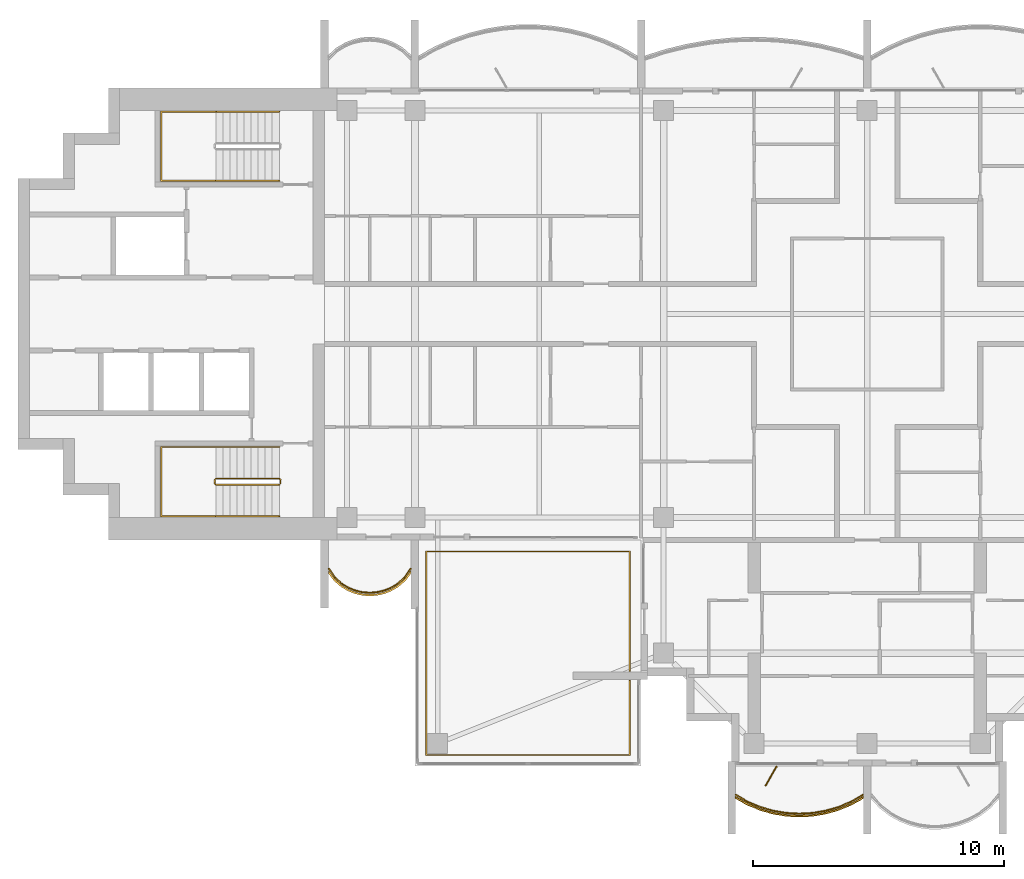
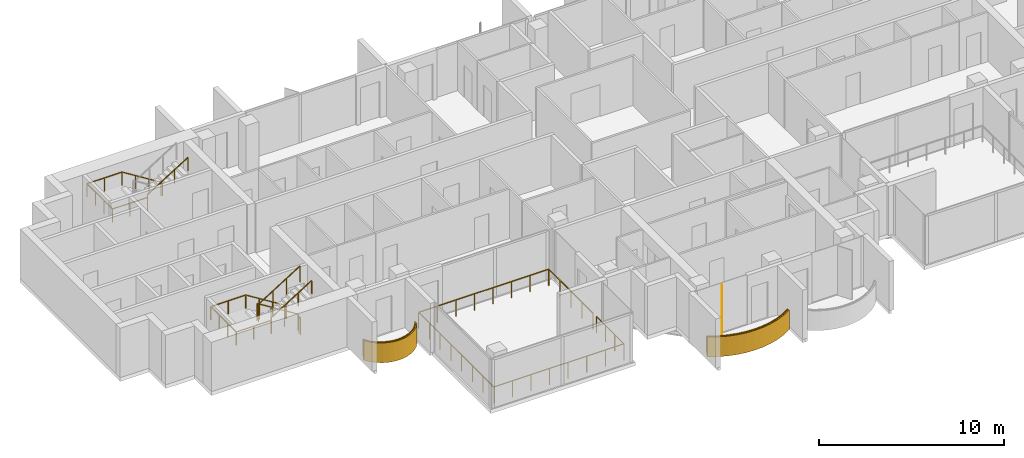
# One storey, part 13 of 16: 6 railings, 2 coverings, 1 shading device.
"""IFC4 building model written with IfcOpenShell, lengths in metres."""

from ifc_helpers import new_model, si_unit, direction, frame, origin, origin_2d, place, context, subcontext, project, spatial, polyline, rectangle, outline, extrude, material, layer, layer_set, type_object, element, save


model = new_model("IFC4")

# Units and contexts
model_context = context("Model", 3, precision=1e-05, world=origin(), true_north=direction((0.0, 1.0)))
body_context = subcontext(model_context, "Body", "Model", "MODEL_VIEW")
ifc_project = project(units=[si_unit("LENGTHUNIT", "METRE"), si_unit("AREAUNIT", "SQUARE_METRE"), si_unit("VOLUMEUNIT", "CUBIC_METRE"), si_unit("PLANEANGLEUNIT", "RADIAN"), si_unit("MASSUNIT", "GRAM", prefix="KILO")], contexts=[model_context])

# Site, building, storey
site_placement = place(None, origin())
site = spatial("IfcSite", under=ifc_project, at=site_placement, CompositionType="ELEMENT")
building_placement = place(site_placement, origin())
building = spatial("IfcBuilding", under=site, at=building_placement, Name="Perihelion Cross Residences", CompositionType="ELEMENT")
storey_placement = place(building_placement, frame((0.0, 0.0, 274.5)))
storey = spatial("IfcBuildingStorey", under=building, at=storey_placement, Name="L70", CompositionType="ELEMENT", Elevation=274.5)

# Coverings
ifc_material_1 = material(Name="Bronze anodised aluminium", Category="aluminium")
ifc_layer_1 = layer(ifc_material_1, 0.070068359375)
ifc_layer_set_1 = layer_set([ifc_layer_1], Name="Balcony fascia 1300")
covering_type = type_object("IfcCoveringType", Name="Balcony fascia 1300", PredefinedType="CLADDING", material=ifc_layer_set_1)
covering_1_placement = place(storey_placement, frame((0.0, 0.0, -0.199951171875)))
element("IfcCovering", 1, at=covering_1_placement, inside=storey, type_object=covering_type, Name="Fascia BF1 L70 west side south bay 1", PredefinedType="CLADDING", context=body_context, shape_type="SweptSolid", body=[
    extrude(outline(polyline([(-21.226318359375, -10.616455078125), (-20.94091796875, -10.86328125), (-20.655517578125, -11.031494140625), (-20.370361328125, -11.142578125), (-20.085205078125, -11.206298828125), (-19.800048828125, -11.22705078125), (-19.514892578125, -11.206298828125), (-19.229736328125, -11.142578125), (-18.9443359375, -11.031494140625), (-18.6591796875, -10.86328125), (-18.373779296875, -10.616455078125), (-18.14990234375, -10.31689453125), (-18.14990234375, -10.199951171875), (-18.425048828125, -10.568603515625), (-18.699951171875, -10.806396484375), (-18.97509765625, -10.96875), (-19.25, -11.07568359375), (-19.52490234375, -11.136962890625), (-19.800048828125, -11.156982421875), (-20.074951171875, -11.136962890625), (-20.35009765625, -11.07568359375), (-20.625, -10.96875), (-20.89990234375, -10.806396484375), (-21.175048828125, -10.568603515625), (-21.449951171875, -10.199951171875), (-21.449951171875, -10.31689453125), (-21.226318359375, -10.616455078125)])), origin(), (0.0, 0.0, 1.0), 1.300048828125),
])
covering_2_placement = place(storey_placement, frame((0.0, 0.0, -0.199951171875)))
element("IfcCovering", 2, at=covering_2_placement, inside=storey, type_object=covering_type, Name="Fascia BF1 L70 south tip south bay 1", PredefinedType="CLADDING", context=body_context, shape_type="SweptSolid", body=[
    extrude(outline(polyline([(-4.7705078125, -19.54833984375), (-4.2529296875, -19.7607421875), (-3.735107421875, -19.906494140625), (-3.217529296875, -19.991943359375), (-2.699951171875, -20.02001953125), (-2.182373046875, -19.991943359375), (-1.664794921875, -19.906494140625), (-1.147216796875, -19.7607421875), (-0.629638671875, -19.54833984375), (-0.14990234375, -19.2802734375), (-0.14990234375, -19.199951171875), (-0.659912109375, -19.4853515625), (-1.169921875, -19.694580078125), (-1.679931640625, -19.838134765625), (-2.18994140625, -19.92236328125), (-2.699951171875, -19.949951171875), (-3.2099609375, -19.92236328125), (-3.719970703125, -19.838134765625), (-4.22998046875, -19.694580078125), (-4.739990234375, -19.4853515625), (-5.25, -19.199951171875), (-5.25, -19.2802734375), (-4.7705078125, -19.54833984375)])), origin(), (0.0, 0.0, 1.0), 1.300048828125),
])

# Railings
ifc_material_2 = material(Name="Bronze anodised aluminium", Category="aluminium")
railing_type_1 = type_object("IfcRailingType", Name="Balcony guard 1100", PredefinedType="GUARDRAIL", material=ifc_material_2)
railing_1_placement = place(storey_placement, frame((-21.425048828125, -10.139892578125, 0.0)))
element("IfcRailing", 3, at=railing_1_placement, inside=storey, type_object=railing_type_1, Name="Guard GU1 L70 west side south bay 1 balcony", PredefinedType="GUARDRAIL", context=body_context, shape_type="SweptSolid", body=[
    extrude(rectangle(XDim=0.048095703125, YDim=0.048095703125, at=origin_2d()), frame((0.0, 0.0, 1.076171875), z_axis=(0.561260132269, -0.827639452857, 0.0), x_axis=(0.827639452857, 0.561260132269, 0.0)), (0.0, 0.0, 1.0), 0.4453125),
    extrude(rectangle(XDim=0.048095703125, YDim=0.048095703125, at=origin_2d()), frame((0.25, -0.36865234375, 1.076171875), z_axis=(0.756596535164, -0.653882009982, 0.0), x_axis=(0.653882009982, 0.756596535164, 0.0)), (0.0, 0.0, 1.0), 0.36376953125),
    extrude(rectangle(XDim=0.048095703125, YDim=0.048095703125, at=origin_2d()), frame((0.525146484375, -0.6064453125, 1.076171875), z_axis=(0.861048292884, -0.508523192511, 0.0), x_axis=(0.508523192511, 0.861048292884, 0.0)), (0.0, 0.0, 1.0), 0.3193359375),
    extrude(rectangle(XDim=0.048095703125, YDim=0.048095703125, at=origin_2d()), frame((0.800048828125, -0.768798828125, 1.076171875), z_axis=(0.931973602183, -0.362526143656, 0.0), x_axis=(0.362526143656, 0.931973602183, 0.0)), (0.0, 0.0, 1.0), 0.294921875),
    extrude(rectangle(XDim=0.048095703125, YDim=0.048095703125, at=origin_2d()), frame((1.074951171875, -0.875732421875, 1.076171875), z_axis=(0.976085059389, -0.21738895289, 0.0), x_axis=(0.21738895289, 0.976085059389, 0.0)), (0.0, 0.0, 1.0), 0.281982421875),
    extrude(rectangle(XDim=0.048095703125, YDim=0.048095703125, at=origin_2d()), frame((1.35009765625, -0.93701171875, 1.076171875), z_axis=(0.997358821833, -0.072631814734, 0.0), x_axis=(0.072631814734, 0.997358821833, 0.0)), (0.0, 0.0, 1.0), 0.275634765625),
    extrude(rectangle(XDim=0.048095703125, YDim=0.048095703125, at=origin_2d()), frame((1.625, -0.95703125, 1.076171875), z_axis=(0.997363488337, 0.072567707226, 0.0), x_axis=(-0.072567707226, 0.997363488337, 0.0)), (0.0, 0.0, 1.0), 0.27587890625),
    extrude(rectangle(XDim=0.048095703125, YDim=0.048095703125, at=origin_2d()), frame((1.900146484375, -0.93701171875, 1.076171875), z_axis=(0.976044077717, 0.217572880557, 0.0), x_axis=(-0.217572880557, 0.976044077717, 0.0)), (0.0, 0.0, 1.0), 0.28173828125),
    extrude(rectangle(XDim=0.048095703125, YDim=0.048095703125, at=origin_2d()), frame((2.175048828125, -0.875732421875, 1.076171875), z_axis=(0.931973602183, 0.362526143656, 0.0), x_axis=(-0.362526143656, 0.931973602183, 0.0)), (0.0, 0.0, 1.0), 0.294921875),
    extrude(rectangle(XDim=0.048095703125, YDim=0.048095703125, at=origin_2d()), frame((2.449951171875, -0.768798828125, 1.076171875), z_axis=(0.861245845072, 0.508188542123, 0.0), x_axis=(-0.508188542123, 0.861245845072, 0.0)), (0.0, 0.0, 1.0), 0.319580078125),
    extrude(rectangle(XDim=0.048095703125, YDim=0.048095703125, at=origin_2d()), frame((2.72509765625, -0.6064453125, 1.076171875), z_axis=(0.756309278473, 0.654214242658, 0.0), x_axis=(-0.654214242658, 0.756309278473, 0.0)), (0.0, 0.0, 1.0), 0.363525390625),
    extrude(rectangle(XDim=0.048095703125, YDim=0.048095703125, at=origin_2d()), frame((3.0, -0.36865234375, 1.076171875), z_axis=(0.561260132269, 0.827639452857, 0.0), x_axis=(-0.827639452857, 0.561260132269, 0.0)), (0.0, 0.0, 1.0), 0.4453125),
    extrude(rectangle(XDim=0.0419921875, YDim=0.0419921875, at=origin_2d()), origin(), (0.0, 0.0, 1.0), 1.052001953125),
    extrude(rectangle(XDim=0.0419921875, YDim=0.0419921875, at=origin_2d()), frame((0.25, -0.36865234375, 0.0)), (0.0, 0.0, 1.0), 1.052001953125),
    extrude(rectangle(XDim=0.0419921875, YDim=0.0419921875, at=origin_2d()), frame((0.525146484375, -0.6064453125, 0.0)), (0.0, 0.0, 1.0), 1.052001953125),
    extrude(rectangle(XDim=0.0419921875, YDim=0.0419921875, at=origin_2d()), frame((0.800048828125, -0.768798828125, 0.0)), (0.0, 0.0, 1.0), 1.052001953125),
    extrude(rectangle(XDim=0.0419921875, YDim=0.0419921875, at=origin_2d()), frame((1.074951171875, -0.875732421875, 0.0)), (0.0, 0.0, 1.0), 1.052001953125),
    extrude(rectangle(XDim=0.0419921875, YDim=0.0419921875, at=origin_2d()), frame((1.35009765625, -0.93701171875, 0.0)), (0.0, 0.0, 1.0), 1.052001953125),
    extrude(rectangle(XDim=0.0419921875, YDim=0.0419921875, at=origin_2d()), frame((1.625, -0.95703125, 0.0)), (0.0, 0.0, 1.0), 1.052001953125),
    extrude(rectangle(XDim=0.0419921875, YDim=0.0419921875, at=origin_2d()), frame((1.900146484375, -0.93701171875, 0.0)), (0.0, 0.0, 1.0), 1.052001953125),
    extrude(rectangle(XDim=0.0419921875, YDim=0.0419921875, at=origin_2d()), frame((2.175048828125, -0.875732421875, 0.0)), (0.0, 0.0, 1.0), 1.052001953125),
    extrude(rectangle(XDim=0.0419921875, YDim=0.0419921875, at=origin_2d()), frame((2.449951171875, -0.768798828125, 0.0)), (0.0, 0.0, 1.0), 1.052001953125),
    extrude(rectangle(XDim=0.0419921875, YDim=0.0419921875, at=origin_2d()), frame((2.72509765625, -0.6064453125, 0.0)), (0.0, 0.0, 1.0), 1.052001953125),
    extrude(rectangle(XDim=0.0419921875, YDim=0.0419921875, at=origin_2d()), frame((3.0, -0.36865234375, 0.0)), (0.0, 0.0, 1.0), 1.052001953125),
    extrude(rectangle(XDim=0.0419921875, YDim=0.0419921875, at=origin_2d()), frame((3.25, 0.0, 0.0)), (0.0, 0.0, 1.0), 1.052001953125),
])
railing_2_placement = place(storey_placement, frame((-5.22509765625, -19.139892578125, 0.0)))
element("IfcRailing", 4, at=railing_2_placement, inside=storey, type_object=railing_type_1, Name="Guard GU1 L70 south tip south bay 1 balcony", PredefinedType="GUARDRAIL", context=body_context, shape_type="SweptSolid", body=[
    extrude(rectangle(XDim=0.048095703125, YDim=0.048095703125, at=origin_2d()), frame((0.0, 0.0, 1.076171875), z_axis=(0.861900760591, -0.507076995033, 0.0), x_axis=(0.507076995033, 0.861900760591, 0.0)), (0.0, 0.0, 1.0), 0.562744140625),
    extrude(rectangle(XDim=0.048095703125, YDim=0.048095703125, at=origin_2d()), frame((0.485107421875, -0.285400390625, 1.076171875), z_axis=(0.925172605972, -0.379546636342, 0.0), x_axis=(0.379546636342, 0.925172605972, 0.0)), (0.0, 0.0, 1.0), 0.55126953125),
    extrude(rectangle(XDim=0.048095703125, YDim=0.048095703125, at=origin_2d()), frame((0.9951171875, -0.49462890625, 1.076171875), z_axis=(0.962474364231, -0.271372618732, 0.0), x_axis=(0.271372618732, 0.962474364231, 0.0)), (0.0, 0.0, 1.0), 0.52978515625),
    extrude(rectangle(XDim=0.048095703125, YDim=0.048095703125, at=origin_2d()), frame((1.505126953125, -0.638427734375, 1.076171875), z_axis=(0.986711211531, -0.162483799314, 0.0), x_axis=(0.162483799314, 0.986711211531, 0.0)), (0.0, 0.0, 1.0), 0.516845703125),
    extrude(rectangle(XDim=0.048095703125, YDim=0.048095703125, at=origin_2d()), frame((2.01513671875, -0.722412109375, 1.076171875), z_axis=(0.998540183677, -0.05401390175, 0.0), x_axis=(0.05401390175, 0.998540183677, 0.0)), (0.0, 0.0, 1.0), 0.5107421875),
    extrude(rectangle(XDim=0.048095703125, YDim=0.048095703125, at=origin_2d()), frame((2.525146484375, -0.75, 1.076171875), z_axis=(0.998540183677, 0.05401390175, 0.0), x_axis=(-0.05401390175, 0.998540183677, 0.0)), (0.0, 0.0, 1.0), 0.5107421875),
    extrude(rectangle(XDim=0.048095703125, YDim=0.048095703125, at=origin_2d()), frame((3.03515625, -0.722412109375, 1.076171875), z_axis=(0.986711211531, 0.162483799314, 0.0), x_axis=(-0.162483799314, 0.986711211531, 0.0)), (0.0, 0.0, 1.0), 0.516845703125),
    extrude(rectangle(XDim=0.048095703125, YDim=0.048095703125, at=origin_2d()), frame((3.545166015625, -0.638427734375, 1.076171875), z_axis=(0.962474364231, 0.271372618732, 0.0), x_axis=(-0.271372618732, 0.962474364231, 0.0)), (0.0, 0.0, 1.0), 0.52978515625),
    extrude(rectangle(XDim=0.048095703125, YDim=0.048095703125, at=origin_2d()), frame((4.05517578125, -0.49462890625, 1.076171875), z_axis=(0.925172605972, 0.379546636342, 0.0), x_axis=(-0.379546636342, 0.925172605972, 0.0)), (0.0, 0.0, 1.0), 0.55126953125),
    extrude(rectangle(XDim=0.048095703125, YDim=0.048095703125, at=origin_2d()), frame((4.565185546875, -0.285400390625, 1.076171875), z_axis=(0.861789164031, 0.507266632806, 0.0), x_axis=(-0.507266632806, 0.861789164031, 0.0)), (0.0, 0.0, 1.0), 0.562744140625),
    extrude(rectangle(XDim=0.0419921875, YDim=0.0419921875, at=origin_2d()), origin(), (0.0, 0.0, 1.0), 1.052001953125),
    extrude(rectangle(XDim=0.0419921875, YDim=0.0419921875, at=origin_2d()), frame((0.485107421875, -0.285400390625, 0.0)), (0.0, 0.0, 1.0), 1.052001953125),
    extrude(rectangle(XDim=0.0419921875, YDim=0.0419921875, at=origin_2d()), frame((0.9951171875, -0.49462890625, 0.0)), (0.0, 0.0, 1.0), 1.052001953125),
    extrude(rectangle(XDim=0.0419921875, YDim=0.0419921875, at=origin_2d()), frame((1.505126953125, -0.638427734375, 0.0)), (0.0, 0.0, 1.0), 1.052001953125),
    extrude(rectangle(XDim=0.0419921875, YDim=0.0419921875, at=origin_2d()), frame((2.01513671875, -0.722412109375, 0.0)), (0.0, 0.0, 1.0), 1.052001953125),
    extrude(rectangle(XDim=0.0419921875, YDim=0.0419921875, at=origin_2d()), frame((2.525146484375, -0.75, 0.0)), (0.0, 0.0, 1.0), 1.052001953125),
    extrude(rectangle(XDim=0.0419921875, YDim=0.0419921875, at=origin_2d()), frame((3.03515625, -0.722412109375, 0.0)), (0.0, 0.0, 1.0), 1.052001953125),
    extrude(rectangle(XDim=0.0419921875, YDim=0.0419921875, at=origin_2d()), frame((3.545166015625, -0.638427734375, 0.0)), (0.0, 0.0, 1.0), 1.052001953125),
    extrude(rectangle(XDim=0.0419921875, YDim=0.0419921875, at=origin_2d()), frame((4.05517578125, -0.49462890625, 0.0)), (0.0, 0.0, 1.0), 1.052001953125),
    extrude(rectangle(XDim=0.0419921875, YDim=0.0419921875, at=origin_2d()), frame((4.565185546875, -0.285400390625, 0.0)), (0.0, 0.0, 1.0), 1.052001953125),
    extrude(rectangle(XDim=0.0419921875, YDim=0.0419921875, at=origin_2d()), frame((5.050048828125, 0.0, 0.0)), (0.0, 0.0, 1.0), 1.052001953125),
])
railing_3_placement = place(storey_placement, frame((-9.449951171875, -14.590087890625, 0.0)))
element("IfcRailing", 5, at=railing_3_placement, inside=storey, type_object=railing_type_1, Name="Guard GU1 L70 pocket south-west 1", PredefinedType="GUARDRAIL", context=body_context, shape_type="SweptSolid", body=[
    extrude(rectangle(XDim=0.048095703125, YDim=0.048095703125, at=origin_2d()), frame((0.0, 0.0, 1.076171875), z_axis=(0.0, -1.0, 0.0), x_axis=(1.0, 0.0, 0.0)), (0.0, 0.0, 1.0), 2.9599609375),
    extrude(rectangle(XDim=0.048095703125, YDim=0.048095703125, at=origin_2d()), frame((0.0, -2.9599609375, 1.076171875), z_axis=(-1.0, 0.0, 0.0), x_axis=(0.0, -1.0, 0.0)), (0.0, 0.0, 1.0), 8.10009765625),
    extrude(rectangle(XDim=0.048095703125, YDim=0.048095703125, at=origin_2d()), frame((-8.10009765625, -2.9599609375, 1.076171875), z_axis=(0.0, 1.0, 0.0), x_axis=(-1.0, 0.0, 0.0)), (0.0, 0.0, 1.0), 8.10009765625),
    extrude(rectangle(XDim=0.048095703125, YDim=0.048095703125, at=origin_2d()), frame((-8.10009765625, 5.14013671875, 1.076171875), z_axis=(1.0, 0.0, 0.0), x_axis=(0.0, 1.0, 0.0)), (0.0, 0.0, 1.0), 8.10009765625),
    extrude(rectangle(XDim=0.048095703125, YDim=0.048095703125, at=origin_2d()), frame((0.0, 5.14013671875, 1.076171875), z_axis=(0.0, -1.0, 0.0), x_axis=(1.0, 0.0, 0.0)), (0.0, 0.0, 1.0), 4.760009765625),
    extrude(rectangle(XDim=0.0419921875, YDim=0.0419921875, at=origin_2d()), origin(), (0.0, 0.0, 1.0), 1.052001953125),
    extrude(rectangle(XDim=0.0419921875, YDim=0.0419921875, at=origin_2d()), frame((0.0, -0.986572265625, 0.0)), (0.0, 0.0, 1.0), 1.052001953125),
    extrude(rectangle(XDim=0.0419921875, YDim=0.0419921875, at=origin_2d()), frame((0.0, -1.973388671875, 0.0)), (0.0, 0.0, 1.0), 1.052001953125),
    extrude(rectangle(XDim=0.0419921875, YDim=0.0419921875, at=origin_2d()), frame((0.0, -2.9599609375, 0.0)), (0.0, 0.0, 1.0), 1.052001953125),
    extrude(rectangle(XDim=0.0419921875, YDim=0.0419921875, at=origin_2d()), frame((-1.1572265625, -2.9599609375, 0.0)), (0.0, 0.0, 1.0), 1.052001953125),
    extrude(rectangle(XDim=0.0419921875, YDim=0.0419921875, at=origin_2d()), frame((-2.314208984375, -2.9599609375, 0.0)), (0.0, 0.0, 1.0), 1.052001953125),
    extrude(rectangle(XDim=0.0419921875, YDim=0.0419921875, at=origin_2d()), frame((-3.471435546875, -2.9599609375, 0.0)), (0.0, 0.0, 1.0), 1.052001953125),
    extrude(rectangle(XDim=0.0419921875, YDim=0.0419921875, at=origin_2d()), frame((-4.628662109375, -2.9599609375, 0.0)), (0.0, 0.0, 1.0), 1.052001953125),
    extrude(rectangle(XDim=0.0419921875, YDim=0.0419921875, at=origin_2d()), frame((-5.785888671875, -2.9599609375, 0.0)), (0.0, 0.0, 1.0), 1.052001953125),
    extrude(rectangle(XDim=0.0419921875, YDim=0.0419921875, at=origin_2d()), frame((-6.94287109375, -2.9599609375, 0.0)), (0.0, 0.0, 1.0), 1.052001953125),
    extrude(rectangle(XDim=0.0419921875, YDim=0.0419921875, at=origin_2d()), frame((-8.10009765625, -2.9599609375, 0.0)), (0.0, 0.0, 1.0), 1.052001953125),
    extrude(rectangle(XDim=0.0419921875, YDim=0.0419921875, at=origin_2d()), frame((-8.10009765625, -1.802734375, 0.0)), (0.0, 0.0, 1.0), 1.052001953125),
    extrude(rectangle(XDim=0.0419921875, YDim=0.0419921875, at=origin_2d()), frame((-8.10009765625, -0.645751953125, 0.0)), (0.0, 0.0, 1.0), 1.052001953125),
    extrude(rectangle(XDim=0.0419921875, YDim=0.0419921875, at=origin_2d()), frame((-8.10009765625, 0.511474609375, 0.0)), (0.0, 0.0, 1.0), 1.052001953125),
    extrude(rectangle(XDim=0.0419921875, YDim=0.0419921875, at=origin_2d()), frame((-8.10009765625, 1.668701171875, 0.0)), (0.0, 0.0, 1.0), 1.052001953125),
    extrude(rectangle(XDim=0.0419921875, YDim=0.0419921875, at=origin_2d()), frame((-8.10009765625, 2.825927734375, 0.0)), (0.0, 0.0, 1.0), 1.052001953125),
    extrude(rectangle(XDim=0.0419921875, YDim=0.0419921875, at=origin_2d()), frame((-8.10009765625, 3.98291015625, 0.0)), (0.0, 0.0, 1.0), 1.052001953125),
    extrude(rectangle(XDim=0.0419921875, YDim=0.0419921875, at=origin_2d()), frame((-8.10009765625, 5.14013671875, 0.0)), (0.0, 0.0, 1.0), 1.052001953125),
    extrude(rectangle(XDim=0.0419921875, YDim=0.0419921875, at=origin_2d()), frame((-6.94287109375, 5.14013671875, 0.0)), (0.0, 0.0, 1.0), 1.052001953125),
    extrude(rectangle(XDim=0.0419921875, YDim=0.0419921875, at=origin_2d()), frame((-5.785888671875, 5.14013671875, 0.0)), (0.0, 0.0, 1.0), 1.052001953125),
    extrude(rectangle(XDim=0.0419921875, YDim=0.0419921875, at=origin_2d()), frame((-4.628662109375, 5.14013671875, 0.0)), (0.0, 0.0, 1.0), 1.052001953125),
    extrude(rectangle(XDim=0.0419921875, YDim=0.0419921875, at=origin_2d()), frame((-3.471435546875, 5.14013671875, 0.0)), (0.0, 0.0, 1.0), 1.052001953125),
    extrude(rectangle(XDim=0.0419921875, YDim=0.0419921875, at=origin_2d()), frame((-2.314208984375, 5.14013671875, 0.0)), (0.0, 0.0, 1.0), 1.052001953125),
    extrude(rectangle(XDim=0.0419921875, YDim=0.0419921875, at=origin_2d()), frame((-1.1572265625, 5.14013671875, 0.0)), (0.0, 0.0, 1.0), 1.052001953125),
    extrude(rectangle(XDim=0.0419921875, YDim=0.0419921875, at=origin_2d()), frame((0.0, 5.14013671875, 0.0)), (0.0, 0.0, 1.0), 1.052001953125),
    extrude(rectangle(XDim=0.0419921875, YDim=0.0419921875, at=origin_2d()), frame((0.0, 3.9501953125, 0.0)), (0.0, 0.0, 1.0), 1.052001953125),
    extrude(rectangle(XDim=0.0419921875, YDim=0.0419921875, at=origin_2d()), frame((0.0, 2.76025390625, 0.0)), (0.0, 0.0, 1.0), 1.052001953125),
    extrude(rectangle(XDim=0.0419921875, YDim=0.0419921875, at=origin_2d()), frame((0.0, 1.570068359375, 0.0)), (0.0, 0.0, 1.0), 1.052001953125),
    extrude(rectangle(XDim=0.0419921875, YDim=0.0419921875, at=origin_2d()), frame((0.0, 0.380126953125, 0.0)), (0.0, 0.0, 1.0), 1.052001953125),
])

# Shading device
ifc_material_3 = material(Name="Bronze anodised aluminium", Category="aluminium")
ifc_layer_2 = layer(ifc_material_3, 0.050048828125)
ifc_layer_set_2 = layer_set([ifc_layer_2], Name="Bronze fin 900")
shading_device_type = type_object("IfcShadingDeviceType", Name="Bronze fin 900", PredefinedType="USERDEFINED", material=ifc_layer_set_2)
shading_device_placement = place(storey_placement, frame((-3.824951171875, -18.3896484375, 0.0), z_axis=(0.0, 0.0, 1.0), x_axis=(-0.5, -0.866025403784, 0.0)))
element("IfcShadingDevice", 6, at=shading_device_placement, inside=storey, type_object=shading_device_type, Name="Fin FN1 L70 south tip south bay 1", ObjectType="FIN", PredefinedType="USERDEFINED", context=body_context, shape_type="SweptSolid", body=[
    extrude(rectangle(XDim=0.89990234375, YDim=0.050048828125, at=origin_2d()), origin(), (0.0, 0.0, 1.0), 3.25),
])

# Railings
ifc_material_4 = material(Name="Stainless steel", Category="steel")
railing_type_2 = type_object("IfcRailingType", Name="Stair guard 1100", PredefinedType="GUARDRAIL", material=ifc_material_4)
railing_4_placement = place(storey_placement, frame((-23.35009765625, -6.75, 0.0)))
element("IfcRailing", 7, at=railing_4_placement, inside=storey, type_object=railing_type_2, Name="L70 ST-W2 stair guard 1", PredefinedType="GUARDRAIL", context=body_context, shape_type="SweptSolid", body=[
    extrude(rectangle(XDim=0.048095703125, YDim=0.048095703125, at=origin_2d()), frame((0.0, 0.0, 1.076171875), z_axis=(0.0, 1.0, 0.0), x_axis=(-1.0, 0.0, 0.0)), (0.0, 0.0, 1.0), 0.14990234375),
    extrude(rectangle(XDim=0.048095703125, YDim=0.048095703125, at=origin_2d()), frame((0.0, 0.14990234375, 1.076171875), z_axis=(-0.263862480399, 0.265155923931, 0.927399011991), x_axis=(-0.708833529934, -0.705375805398, 0.0)), (0.0, 0.0, 1.0), 0.188720703125),
    extrude(rectangle(XDim=0.048095703125, YDim=0.048095703125, at=origin_2d()), frame((-0.0498046875, 0.199951171875, 1.2509765625), z_axis=(-0.848007534815, 0.0, 0.529984170421), x_axis=(0.0, -1.0, 0.0)), (0.0, 0.0, 1.0), 2.9716796875),
    extrude(rectangle(XDim=0.048095703125, YDim=0.048095703125, at=origin_2d()), frame((-2.56982421875, 0.199951171875, 2.826171875), z_axis=(-0.707106781187, -0.707106781187, 0.0), x_axis=(0.707106781187, -0.707106781187, 0.0)), (0.0, 0.0, 1.0), 0.07080078125),
    extrude(rectangle(XDim=0.048095703125, YDim=0.048095703125, at=origin_2d()), frame((-2.619873046875, 0.14990234375, 2.826171875), z_axis=(0.0, -1.0, 0.0), x_axis=(1.0, 0.0, 0.0)), (0.0, 0.0, 1.0), 0.14990234375),
    extrude(rectangle(XDim=0.048095703125, YDim=0.048095703125, at=origin_2d()), frame((-2.619873046875, 0.0, 2.826171875), z_axis=(0.265065253269, -0.265065253269, 0.927081885822), x_axis=(0.707106781187, 0.707106781187, 0.0)), (0.0, 0.0, 1.0), 0.188720703125),
    extrude(rectangle(XDim=0.048095703125, YDim=0.048095703125, at=origin_2d()), frame((-2.56982421875, -0.050048828125, 3.0009765625), z_axis=(0.848007534815, 0.0, 0.529984170421), x_axis=(0.0, 1.0, 0.0)), (0.0, 0.0, 1.0), 2.9716796875),
    extrude(rectangle(XDim=0.0419921875, YDim=0.0419921875, at=origin_2d()), origin(), (0.0, 0.0, 1.0), 1.052001953125),
    extrude(rectangle(XDim=0.0419921875, YDim=0.0419921875, at=origin_2d()), frame((0.0, 0.14990234375, 0.0)), (0.0, 0.0, 1.0), 1.052001953125),
    extrude(rectangle(XDim=0.0419921875, YDim=0.0419921875, at=origin_2d()), frame((-0.0498046875, 0.199951171875, 0.175048828125)), (0.0, 0.0, 1.0), 1.052001953125),
    extrude(rectangle(XDim=0.0419921875, YDim=0.0419921875, at=origin_2d()), frame((-0.889892578125, 0.199951171875, 0.699951171875)), (0.0, 0.0, 1.0), 1.052001953125),
    extrude(rectangle(XDim=0.0419921875, YDim=0.0419921875, at=origin_2d()), frame((-1.729736328125, 0.199951171875, 1.22509765625)), (0.0, 0.0, 1.0), 1.052001953125),
    extrude(rectangle(XDim=0.0419921875, YDim=0.0419921875, at=origin_2d()), frame((-2.56982421875, 0.199951171875, 1.75)), (0.0, 0.0, 1.0), 1.052001953125),
    extrude(rectangle(XDim=0.0419921875, YDim=0.0419921875, at=origin_2d()), frame((-2.619873046875, 0.14990234375, 1.75)), (0.0, 0.0, 1.0), 1.052001953125),
    extrude(rectangle(XDim=0.0419921875, YDim=0.0419921875, at=origin_2d()), frame((-2.619873046875, 0.0, 1.75)), (0.0, 0.0, 1.0), 1.052001953125),
    extrude(rectangle(XDim=0.0419921875, YDim=0.0419921875, at=origin_2d()), frame((-2.56982421875, -0.050048828125, 1.925048828125)), (0.0, 0.0, 1.0), 1.052001953125),
    extrude(rectangle(XDim=0.0419921875, YDim=0.0419921875, at=origin_2d()), frame((-1.729736328125, -0.050048828125, 2.449951171875)), (0.0, 0.0, 1.0), 1.052001953125),
    extrude(rectangle(XDim=0.0419921875, YDim=0.0419921875, at=origin_2d()), frame((-0.889892578125, -0.050048828125, 2.97509765625)), (0.0, 0.0, 1.0), 1.052001953125),
    extrude(rectangle(XDim=0.0419921875, YDim=0.0419921875, at=origin_2d()), frame((-0.0498046875, -0.050048828125, 3.5)), (0.0, 0.0, 1.0), 1.052001953125),
])
ifc_material_5 = material(Name="Stainless steel", Category="steel")
railing_type_3 = type_object("IfcRailingType", Name="Stair handrail 900", PredefinedType="HANDRAIL", material=ifc_material_5)
railing_5_placement = place(storey_placement, frame((-23.39990234375, 8.050048828125, 0.175048828125)))
element("IfcRailing", 8, at=railing_5_placement, inside=storey, type_object=railing_type_3, Name="L70 ST-W1 stair handrail 1", PredefinedType="HANDRAIL", context=body_context, shape_type="SweptSolid", body=[
    extrude(rectangle(XDim=0.048095703125, YDim=0.048095703125, at=origin_2d()), frame((0.0, 0.0, 0.8759765625), z_axis=(-0.848007534815, 0.0, 0.529984170421), x_axis=(0.0, -1.0, 0.0)), (0.0, 0.0, 1.0), 2.9716796875),
    extrude(rectangle(XDim=0.048095703125, YDim=0.048095703125, at=origin_2d()), frame((-2.52001953125, 0.0, 2.45068359375), z_axis=(-1.0, 0.0, 0.0), x_axis=(0.0, -1.0, 0.0)), (0.0, 0.0, 1.0), 2.18017578125),
    extrude(rectangle(XDim=0.048095703125, YDim=0.048095703125, at=origin_2d()), frame((-4.7001953125, 0.0, 2.45068359375), z_axis=(0.0, -1.0, 0.0), x_axis=(1.0, 0.0, 0.0)), (0.0, 0.0, 1.0), 2.75),
    extrude(rectangle(XDim=0.048095703125, YDim=0.048095703125, at=origin_2d()), frame((-4.7001953125, -2.75, 2.45068359375), z_axis=(1.0, 0.0, 0.0), x_axis=(0.0, 1.0, 0.0)), (0.0, 0.0, 1.0), 2.18017578125),
    extrude(rectangle(XDim=0.048095703125, YDim=0.048095703125, at=origin_2d()), frame((-2.52001953125, -2.75, 2.45068359375), z_axis=(0.0, 0.0, 1.0), x_axis=(1.0, 0.0, 0.0)), (0.0, 0.0, 1.0), 0.175048828125),
    extrude(rectangle(XDim=0.048095703125, YDim=0.048095703125, at=origin_2d()), frame((-2.52001953125, -2.75, 2.6259765625), z_axis=(0.848007534815, 0.0, 0.529984170421), x_axis=(0.0, 1.0, 0.0)), (0.0, 0.0, 1.0), 2.9716796875),
    extrude(rectangle(XDim=0.0419921875, YDim=0.0419921875, at=origin_2d()), origin(), (0.0, 0.0, 1.0), 0.851806640625),
    extrude(rectangle(XDim=0.0419921875, YDim=0.0419921875, at=origin_2d()), frame((-0.840087890625, 0.0, 0.52490234375)), (0.0, 0.0, 1.0), 0.851806640625),
    extrude(rectangle(XDim=0.0419921875, YDim=0.0419921875, at=origin_2d()), frame((-1.679931640625, 0.0, 1.050048828125)), (0.0, 0.0, 1.0), 0.851806640625),
    extrude(rectangle(XDim=0.0419921875, YDim=0.0419921875, at=origin_2d()), frame((-2.52001953125, 0.0, 1.574951171875)), (0.0, 0.0, 1.0), 0.851806640625),
    extrude(rectangle(XDim=0.0419921875, YDim=0.0419921875, at=origin_2d()), frame((-3.610107421875, 0.0, 1.574951171875)), (0.0, 0.0, 1.0), 0.851806640625),
    extrude(rectangle(XDim=0.0419921875, YDim=0.0419921875, at=origin_2d()), frame((-4.7001953125, 0.0, 1.574951171875)), (0.0, 0.0, 1.0), 0.851806640625),
    extrude(rectangle(XDim=0.0419921875, YDim=0.0419921875, at=origin_2d()), frame((-4.7001953125, -0.916748046875, 1.574951171875)), (0.0, 0.0, 1.0), 0.851806640625),
    extrude(rectangle(XDim=0.0419921875, YDim=0.0419921875, at=origin_2d()), frame((-4.7001953125, -1.833251953125, 1.574951171875)), (0.0, 0.0, 1.0), 0.851806640625),
    extrude(rectangle(XDim=0.0419921875, YDim=0.0419921875, at=origin_2d()), frame((-4.7001953125, -2.75, 1.574951171875)), (0.0, 0.0, 1.0), 0.851806640625),
    extrude(rectangle(XDim=0.0419921875, YDim=0.0419921875, at=origin_2d()), frame((-3.610107421875, -2.75, 1.574951171875)), (0.0, 0.0, 1.0), 0.851806640625),
    extrude(rectangle(XDim=0.0419921875, YDim=0.0419921875, at=origin_2d()), frame((-2.52001953125, -2.75, 1.574951171875)), (0.0, 0.0, 1.0), 0.851806640625),
    extrude(rectangle(XDim=0.0419921875, YDim=0.0419921875, at=origin_2d()), frame((-2.52001953125, -2.75, 1.75)), (0.0, 0.0, 1.0), 0.851806640625),
    extrude(rectangle(XDim=0.0419921875, YDim=0.0419921875, at=origin_2d()), frame((-1.679931640625, -2.75, 2.27490234375)), (0.0, 0.0, 1.0), 0.851806640625),
    extrude(rectangle(XDim=0.0419921875, YDim=0.0419921875, at=origin_2d()), frame((-0.840087890625, -2.75, 2.800048828125)), (0.0, 0.0, 1.0), 0.851806640625),
    extrude(rectangle(XDim=0.0419921875, YDim=0.0419921875, at=origin_2d()), frame((0.0, -2.75, 3.324951171875)), (0.0, 0.0, 1.0), 0.851806640625),
])
railing_6_placement = place(storey_placement, frame((-23.39990234375, -5.300048828125, 0.175048828125)))
element("IfcRailing", 9, at=railing_6_placement, inside=storey, type_object=railing_type_3, Name="L70 ST-W2 stair handrail 1", PredefinedType="HANDRAIL", context=body_context, shape_type="SweptSolid", body=[
    extrude(rectangle(XDim=0.048095703125, YDim=0.048095703125, at=origin_2d()), frame((0.0, 0.0, 0.8759765625), z_axis=(-0.848007534815, 0.0, 0.529984170421), x_axis=(0.0, -1.0, 0.0)), (0.0, 0.0, 1.0), 2.9716796875),
    extrude(rectangle(XDim=0.048095703125, YDim=0.048095703125, at=origin_2d()), frame((-2.52001953125, 0.0, 2.45068359375), z_axis=(-1.0, 0.0, 0.0), x_axis=(0.0, -1.0, 0.0)), (0.0, 0.0, 1.0), 2.18017578125),
    extrude(rectangle(XDim=0.048095703125, YDim=0.048095703125, at=origin_2d()), frame((-4.7001953125, 0.0, 2.45068359375), z_axis=(0.0, -1.0, 0.0), x_axis=(1.0, 0.0, 0.0)), (0.0, 0.0, 1.0), 2.75),
    extrude(rectangle(XDim=0.048095703125, YDim=0.048095703125, at=origin_2d()), frame((-4.7001953125, -2.75, 2.45068359375), z_axis=(1.0, 0.0, 0.0), x_axis=(0.0, 1.0, 0.0)), (0.0, 0.0, 1.0), 2.18017578125),
    extrude(rectangle(XDim=0.048095703125, YDim=0.048095703125, at=origin_2d()), frame((-2.52001953125, -2.75, 2.45068359375), z_axis=(0.0, 0.0, 1.0), x_axis=(1.0, 0.0, 0.0)), (0.0, 0.0, 1.0), 0.175048828125),
    extrude(rectangle(XDim=0.048095703125, YDim=0.048095703125, at=origin_2d()), frame((-2.52001953125, -2.75, 2.6259765625), z_axis=(0.848007534815, 0.0, 0.529984170421), x_axis=(0.0, 1.0, 0.0)), (0.0, 0.0, 1.0), 2.9716796875),
    extrude(rectangle(XDim=0.0419921875, YDim=0.0419921875, at=origin_2d()), origin(), (0.0, 0.0, 1.0), 0.851806640625),
    extrude(rectangle(XDim=0.0419921875, YDim=0.0419921875, at=origin_2d()), frame((-0.840087890625, 0.0, 0.52490234375)), (0.0, 0.0, 1.0), 0.851806640625),
    extrude(rectangle(XDim=0.0419921875, YDim=0.0419921875, at=origin_2d()), frame((-1.679931640625, 0.0, 1.050048828125)), (0.0, 0.0, 1.0), 0.851806640625),
    extrude(rectangle(XDim=0.0419921875, YDim=0.0419921875, at=origin_2d()), frame((-2.52001953125, 0.0, 1.574951171875)), (0.0, 0.0, 1.0), 0.851806640625),
    extrude(rectangle(XDim=0.0419921875, YDim=0.0419921875, at=origin_2d()), frame((-3.610107421875, 0.0, 1.574951171875)), (0.0, 0.0, 1.0), 0.851806640625),
    extrude(rectangle(XDim=0.0419921875, YDim=0.0419921875, at=origin_2d()), frame((-4.7001953125, 0.0, 1.574951171875)), (0.0, 0.0, 1.0), 0.851806640625),
    extrude(rectangle(XDim=0.0419921875, YDim=0.0419921875, at=origin_2d()), frame((-4.7001953125, -0.916748046875, 1.574951171875)), (0.0, 0.0, 1.0), 0.851806640625),
    extrude(rectangle(XDim=0.0419921875, YDim=0.0419921875, at=origin_2d()), frame((-4.7001953125, -1.833251953125, 1.574951171875)), (0.0, 0.0, 1.0), 0.851806640625),
    extrude(rectangle(XDim=0.0419921875, YDim=0.0419921875, at=origin_2d()), frame((-4.7001953125, -2.75, 1.574951171875)), (0.0, 0.0, 1.0), 0.851806640625),
    extrude(rectangle(XDim=0.0419921875, YDim=0.0419921875, at=origin_2d()), frame((-3.610107421875, -2.75, 1.574951171875)), (0.0, 0.0, 1.0), 0.851806640625),
    extrude(rectangle(XDim=0.0419921875, YDim=0.0419921875, at=origin_2d()), frame((-2.52001953125, -2.75, 1.574951171875)), (0.0, 0.0, 1.0), 0.851806640625),
    extrude(rectangle(XDim=0.0419921875, YDim=0.0419921875, at=origin_2d()), frame((-2.52001953125, -2.75, 1.75)), (0.0, 0.0, 1.0), 0.851806640625),
    extrude(rectangle(XDim=0.0419921875, YDim=0.0419921875, at=origin_2d()), frame((-1.679931640625, -2.75, 2.27490234375)), (0.0, 0.0, 1.0), 0.851806640625),
    extrude(rectangle(XDim=0.0419921875, YDim=0.0419921875, at=origin_2d()), frame((-0.840087890625, -2.75, 2.800048828125)), (0.0, 0.0, 1.0), 0.851806640625),
    extrude(rectangle(XDim=0.0419921875, YDim=0.0419921875, at=origin_2d()), frame((0.0, -2.75, 3.324951171875)), (0.0, 0.0, 1.0), 0.851806640625),
])

save(model, "model.ifc")
